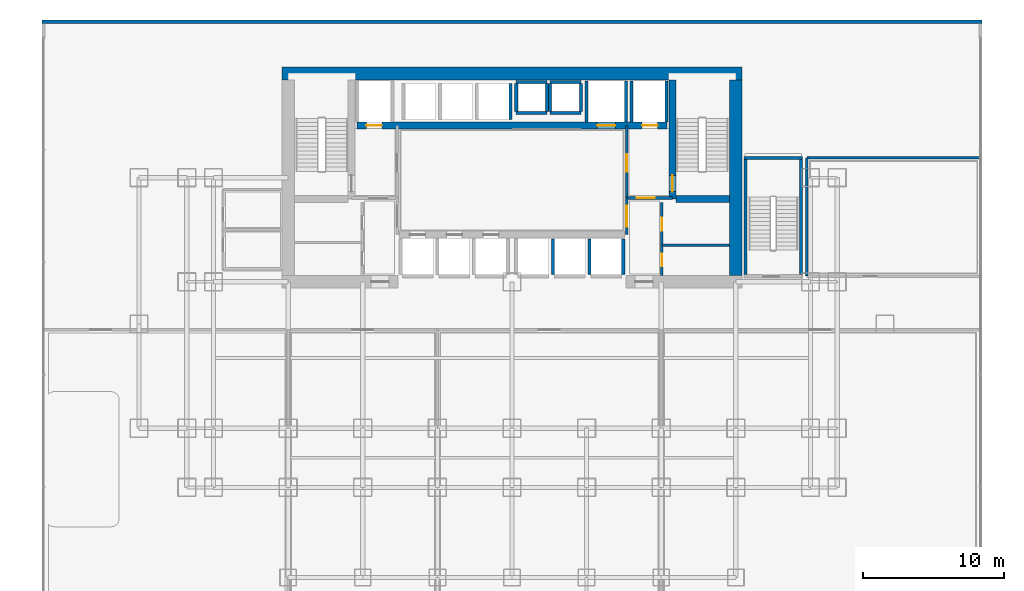
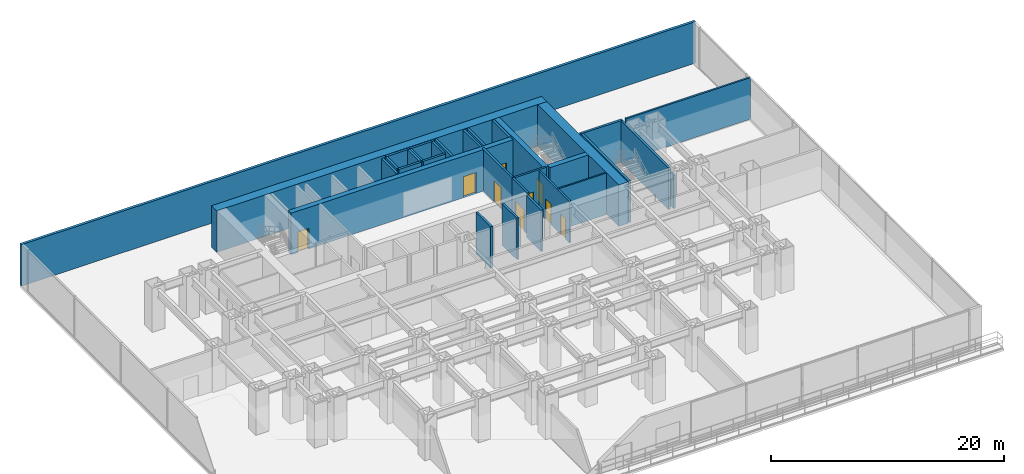
# One storey, part 10 of 13: 32 walls, 9 doors, 9 openings.
"""IFC4 building model written with IfcOpenShell, lengths in metres."""

from ifc_helpers import new_model, si_unit, direction, frame, frame_2d, origin, place, context, subcontext, project, spatial, rectangle, extrude, material, layer, layer_set, type_object, element, fill, save


model = new_model("IFC4")

# Units and contexts
model_context = context("Model", 3, precision=1e-05, world=origin(), true_north=direction((0.0, 1.0)))
body_context = subcontext(model_context, "Body", "Model", "MODEL_VIEW")
ifc_project = project(units=[si_unit("LENGTHUNIT", "METRE"), si_unit("AREAUNIT", "SQUARE_METRE"), si_unit("VOLUMEUNIT", "CUBIC_METRE"), si_unit("PLANEANGLEUNIT", "RADIAN"), si_unit("MASSUNIT", "GRAM", prefix="KILO")], contexts=[model_context])

# Site, building, storey
site_placement = place(None, origin())
site = spatial("IfcSite", under=ifc_project, at=site_placement, CompositionType="ELEMENT")
building_placement = place(site_placement, origin())
building = spatial("IfcBuilding", under=site, at=building_placement, Name="Qianlan Lanfeng Residences", CompositionType="ELEMENT")
storey_placement = place(building_placement, frame((0.0, 0.0, 9.800048828125)))
storey = spatial("IfcBuildingStorey", under=building, at=storey_placement, Name="L02", CompositionType="ELEMENT", Elevation=9.800048828125)

# Wall, opening, door
ifc_material_1 = material(Name="Concrete C70", Category="concrete")
ifc_layer_1 = layer(ifc_material_1, 0.5)
ifc_layer_set_1 = layer_set([ifc_layer_1], Name="Concrete C70")
wall_type_1 = type_object("IfcWallType", Name="CW-RC-500", PredefinedType="SHEAR", material=ifc_layer_set_1)
wall_1_placement = place(storey_placement, frame((37.89990234375, 31.10009765625, 0.0), z_axis=(0.0, 0.0, 1.0), x_axis=(0.0, 1.0, 0.0)))
wall_1 = element("IfcWall", 1, at=wall_1_placement, inside=storey, type_object=wall_type_1, Name="L02 Core Shear Wall ST2W", PredefinedType="SHEAR", context=body_context, shape_type="SweptSolid", body=[
    extrude(rectangle(XDim=8.449951171875, YDim=0.5, at=frame_2d((4.22509765625, 0.0))), origin(), (0.0, 0.0, 1.0), 4.349853515625),
])
opening_1_placement = place(wall_1_placement, frame((0.510009765625, 0.0, 0.0)))
opening_1 = element("IfcOpeningElement", 2, at=opening_1_placement, cuts=wall_1, Name="Opening L02-D08", PredefinedType="OPENING", context=body_context, shape_type="SweptSolid", body=[
    extrude(rectangle(XDim=1.14990234375, YDim=2.199951171875, at=frame_2d((0.574951171875, 1.10009765625))), frame((0.0, 0.260009765625, 0.0), z_axis=(0.0, -1.0, 0.0), x_axis=(1.0, 0.0, 0.0)), (0.0, 0.0, 1.0), 0.52001953125),
])
ifc_material_2 = material(Name="Painted Galvanised Steel Fire Door", Category="steel")
door_type_1 = type_object("IfcDoorType", Name="DT-ST1", OperationType="NOTDEFINED", PredefinedType="DOOR", material=ifc_material_2)
door_1_placement = place(opening_1_placement, origin())
door_1 = element("IfcDoor", 3, at=door_1_placement, inside=storey, type_object=door_type_1, Name="L02 Exit Stair ST-2 Door L02-D08 (DT-ST1)", OperationType="SINGLE_SWING_RIGHT", OverallHeight=2.199951171875, OverallWidth=1.14990234375, PredefinedType="DOOR", context=body_context, shape_type="SweptSolid", body=[
    extrude(rectangle(XDim=1.14990234375, YDim=2.199951171875, at=frame_2d((0.574951171875, 1.10009765625))), frame((0.0, 0.02490234375, 0.0), z_axis=(0.0, -1.0, 0.0), x_axis=(1.0, 0.0, 0.0)), (0.0, 0.0, 1.0), 0.050048828125),
])
fill(opening_1, door_1)

# Wall
wall_2_placement = place(storey_placement, frame((38.14990234375, 31.10009765625, 0.0), z_axis=(0.0, 0.0, 1.0), x_axis=(1.0, 0.0, 0.0)))
element("IfcWall", 4, at=wall_2_placement, inside=storey, type_object=wall_type_1, Name="L02 Core Shear Wall ST2S", PredefinedType="SHEAR", context=body_context, shape_type="SweptSolid", body=[
    extrude(rectangle(XDim=3.800048828125, YDim=0.5, at=frame_2d((1.89990234375, 0.0))), origin(), (0.0, 0.0, 1.0), 4.349853515625),
])

# Wall, openings, doors
wall_3_placement = place(storey_placement, frame((15.5, 36.300048828125, 0.0), z_axis=(0.0, 0.0, 1.0), x_axis=(1.0, 0.0, 0.0)))
wall_3 = element("IfcWall", 5, at=wall_3_placement, inside=storey, type_object=wall_type_1, Name="L02 Core Shear Wall LBN", PredefinedType="SHEAR", context=body_context, shape_type="SweptSolid", body=[
    extrude(rectangle(XDim=22.0, YDim=0.5, at=frame_2d((11.0, 0.0))), origin(), (0.0, 0.0, 1.0), 4.349853515625),
])
opening_2_placement = place(wall_3_placement, frame((0.64990234375, 0.0, 0.0)))
opening_2 = element("IfcOpeningElement", 6, at=opening_2_placement, cuts=wall_3, Name="Opening L02-LD-FFL-1", PredefinedType="OPENING", context=body_context, shape_type="SweptSolid", body=[
    extrude(rectangle(XDim=1.10009765625, YDim=2.14990234375, at=frame_2d((0.550048828125, 1.074951171875))), frame((0.0, 0.260009765625, 0.0), z_axis=(0.0, -1.0, 0.0), x_axis=(1.0, 0.0, 0.0)), (0.0, 0.0, 1.0), 0.52001953125),
])
opening_3_placement = place(wall_3_placement, frame((20.25, 0.0, 0.0)))
opening_3 = element("IfcOpeningElement", 7, at=opening_3_placement, cuts=wall_3, Name="Opening L02-LD-FFL-2", PredefinedType="OPENING", context=body_context, shape_type="SweptSolid", body=[
    extrude(rectangle(XDim=1.10009765625, YDim=2.14990234375, at=frame_2d((0.550048828125, 1.074951171875))), frame((0.0, 0.260009765625, 0.0), z_axis=(0.0, -1.0, 0.0), x_axis=(1.0, 0.0, 0.0)), (0.0, 0.0, 1.0), 0.52001953125),
])
opening_4_placement = place(wall_3_placement, frame((17.050048828125, 0.0, 0.0)))
opening_4 = element("IfcOpeningElement", 8, at=opening_4_placement, cuts=wall_3, Name="Opening L02-LD-SVL-1", PredefinedType="OPENING", context=body_context, shape_type="SweptSolid", body=[
    extrude(rectangle(XDim=1.300048828125, YDim=2.199951171875, at=frame_2d((0.64990234375, 1.10009765625))), frame((0.0, 0.260009765625, 0.0), z_axis=(0.0, -1.0, 0.0), x_axis=(1.0, 0.0, 0.0)), (0.0, 0.0, 1.0), 0.52001953125),
])
ifc_material_3 = material(Name="Brushed Stainless Steel Sliding Lift Door", Category="steel")
door_type_2 = type_object("IfcDoorType", Name="LD-01", OperationType="NOTDEFINED", PredefinedType="DOOR", material=ifc_material_3)
door_2_placement = place(opening_2_placement, frame((1.10009765625, 0.0, 0.0), z_axis=(0.0, 0.0, 1.0), x_axis=(-1.0, 0.0, 0.0)))
door_2 = element("IfcDoor", 9, at=door_2_placement, inside=storey, type_object=door_type_2, Name="L02 Elevator FFL-1 Sliding Landing Door", OperationType="DOUBLE_DOOR_SLIDING", OverallHeight=2.14990234375, OverallWidth=1.10009765625, PredefinedType="DOOR", context=body_context, shape_type="SweptSolid", body=[
    extrude(rectangle(XDim=1.10009765625, YDim=2.14990234375, at=frame_2d((0.550048828125, 1.074951171875))), frame((0.0, 0.02490234375, 0.0), z_axis=(0.0, -1.0, 0.0), x_axis=(1.0, 0.0, 0.0)), (0.0, 0.0, 1.0), 0.050048828125),
])
fill(opening_2, door_2)
door_3_placement = place(opening_3_placement, frame((1.10009765625, 0.0, 0.0), z_axis=(0.0, 0.0, 1.0), x_axis=(-1.0, 0.0, 0.0)))
door_3 = element("IfcDoor", 10, at=door_3_placement, inside=storey, type_object=door_type_2, Name="L02 Elevator FFL-2 Sliding Landing Door", OperationType="DOUBLE_DOOR_SLIDING", OverallHeight=2.14990234375, OverallWidth=1.10009765625, PredefinedType="DOOR", context=body_context, shape_type="SweptSolid", body=[
    extrude(rectangle(XDim=1.10009765625, YDim=2.14990234375, at=frame_2d((0.550048828125, 1.074951171875))), frame((0.0, 0.02490234375, 0.0), z_axis=(0.0, -1.0, 0.0), x_axis=(1.0, 0.0, 0.0)), (0.0, 0.0, 1.0), 0.050048828125),
])
fill(opening_3, door_3)
door_type_3 = type_object("IfcDoorType", Name="LD-02", OperationType="NOTDEFINED", PredefinedType="DOOR", material=ifc_material_3)
door_4_placement = place(opening_4_placement, frame((1.300048828125, 0.0, 0.0), z_axis=(0.0, 0.0, 1.0), x_axis=(-1.0, 0.0, 0.0)))
door_4 = element("IfcDoor", 11, at=door_4_placement, inside=storey, type_object=door_type_3, Name="L02 Elevator SVL-1 Sliding Landing Door", OperationType="DOUBLE_DOOR_SLIDING", OverallHeight=2.199951171875, OverallWidth=1.300048828125, PredefinedType="DOOR", context=body_context, shape_type="SweptSolid", body=[
    extrude(rectangle(XDim=1.300048828125, YDim=2.199951171875, at=frame_2d((0.64990234375, 1.10009765625))), frame((0.0, 0.02490234375, 0.0), z_axis=(0.0, -1.0, 0.0), x_axis=(1.0, 0.0, 0.0)), (0.0, 0.0, 1.0), 0.050048828125),
])
fill(opening_4, door_4)

# Walls
ifc_layer_2 = layer(ifc_material_1, 0.89990234375)
ifc_layer_set_2 = layer_set([ifc_layer_2], Name="Concrete C70")
wall_type_2 = type_object("IfcWallType", Name="CW-RC-900", PredefinedType="SHEAR", material=ifc_layer_set_2)
wall_4_placement = place(storey_placement, frame((10.14990234375, 40.0, 0.0), z_axis=(0.0, 0.0, 1.0), x_axis=(1.0, 0.0, 0.0)))
element("IfcWall", 12, at=wall_4_placement, inside=storey, type_object=wall_type_2, Name="L02 Core Shear Wall N", PredefinedType="SHEAR", context=body_context, shape_type="SweptSolid", body=[
    extrude(rectangle(XDim=32.7001953125, YDim=0.89990234375, at=frame_2d((16.35009765625, 0.0))), origin(), (0.0, 0.0, 1.0), 4.349853515625),
])
wall_5_placement = place(storey_placement, frame((42.39990234375, 25.64990234375, 0.0), z_axis=(0.0, 0.0, 1.0), x_axis=(0.0, 1.0, 0.0)))
element("IfcWall", 13, at=wall_5_placement, inside=storey, type_object=wall_type_2, Name="L02 Core Shear Wall E", PredefinedType="SHEAR", context=body_context, shape_type="SweptSolid", body=[
    extrude(rectangle(XDim=13.900146484375, YDim=0.89990234375, at=frame_2d((6.9501953125, 0.0))), origin(), (0.0, 0.0, 1.0), 4.349853515625),
])
ifc_material_4 = material(Name="Concrete C42", Category="concrete")
ifc_layer_3 = layer(ifc_material_4, 0.260009765625)
ifc_layer_set_3 = layer_set([ifc_layer_3], Name="Concrete C42")
wall_type_3 = type_object("IfcWallType", Name="EW-260", PredefinedType="SOLIDWALL", material=ifc_layer_set_3)
wall_6_placement = place(storey_placement, frame((59.89990234375, 43.669921875, 0.0), z_axis=(0.0, 0.0, 1.0), x_axis=(-1.0, 0.0, 0.0)))
element("IfcWall", 14, at=wall_6_placement, inside=storey, type_object=wall_type_3, Name="L02 North Exterior Wall", PredefinedType="SOLIDWALL", context=body_context, shape_type="SweptSolid", body=[
    extrude(rectangle(XDim=66.7998046875, YDim=0.260009765625, at=frame_2d((33.39990234375, 0.0))), origin(), (0.0, 0.0, 1.0), 4.349853515625),
])
ifc_material_5 = material(Name="Acoustic Drywall Partition 150 mm")
ifc_layer_4 = layer(ifc_material_5, 0.14990234375)
ifc_layer_set_4 = layer_set([ifc_layer_4], Name="Acoustic Drywall Partition 150 mm")
wall_type_4 = type_object("IfcWallType", Name="PW-150", PredefinedType="PARTITIONING", material=ifc_layer_set_4)
wall_7_placement = place(storey_placement, frame((37.14990234375, 27.800048828125, 0.0), z_axis=(0.0, 0.0, 1.0), x_axis=(1.0, 0.0, 0.0)))
element("IfcWall", 15, at=wall_7_placement, inside=storey, type_object=wall_type_4, Name="L02 Core East Split", PredefinedType="PARTITIONING", context=body_context, shape_type="SweptSolid", body=[
    extrude(rectangle(XDim=4.800048828125, YDim=0.14990234375, at=frame_2d((2.39990234375, 0.0))), origin(), (0.0, 0.0, 1.0), 4.349853515625),
])

# Wall, openings, doors
ifc_material_6 = material(Name="Double-Layer Acoustic Gypsum Stud Wall 180 mm")
ifc_layer_5 = layer(ifc_material_6, 0.179931640625)
ifc_layer_set_5 = layer_set([ifc_layer_5], Name="Double-Layer Acoustic Gypsum Stud Wall 180 mm")
wall_type_5 = type_object("IfcWallType", Name="PW-180", PredefinedType="PARTITIONING", material=ifc_layer_set_5)
wall_8_placement = place(storey_placement, frame((37.14990234375, 25.64990234375, 0.0), z_axis=(0.0, 0.0, 1.0), x_axis=(0.0, 1.0, 0.0)))
wall_8 = element("IfcWall", 16, at=wall_8_placement, inside=storey, type_object=wall_type_5, Name="L02 Core East Service Room Wall", PredefinedType="PARTITIONING", context=body_context, shape_type="SweptSolid", body=[
    extrude(rectangle(XDim=5.2001953125, YDim=0.179931640625, at=frame_2d((2.60009765625, 0.0))), origin(), (0.0, 0.0, 1.0), 4.349853515625),
])
opening_5_placement = place(wall_8_placement, frame((0.64990234375, 0.0, 0.0)))
opening_5 = element("IfcOpeningElement", 17, at=opening_5_placement, cuts=wall_8, Name="Opening L02-D11", PredefinedType="OPENING", context=body_context, shape_type="SweptSolid", body=[
    extrude(rectangle(XDim=0.89990234375, YDim=2.14990234375, at=frame_2d((0.449951171875, 1.074951171875))), frame((0.0, 0.10009765625, 0.0), z_axis=(0.0, -1.0, 0.0), x_axis=(1.0, 0.0, 0.0)), (0.0, 0.0, 1.0), 0.199951171875),
])
opening_6_placement = place(wall_8_placement, frame((3.18994140625, 0.0, 0.0)))
opening_6 = element("IfcOpeningElement", 18, at=opening_6_placement, cuts=wall_8, Name="Opening L02-D12", PredefinedType="OPENING", context=body_context, shape_type="SweptSolid", body=[
    extrude(rectangle(XDim=0.919921875, YDim=2.14990234375, at=frame_2d((0.4599609375, 1.074951171875))), frame((0.0, 0.10009765625, 0.0), z_axis=(0.0, -1.0, 0.0), x_axis=(1.0, 0.0, 0.0)), (0.0, 0.0, 1.0), 0.199951171875),
])
ifc_material_7 = material(Name="Glazed Timber Kitchen/Study Door", Category="wood")
door_type_4 = type_object("IfcDoorType", Name="DT-INT", OperationType="NOTDEFINED", PredefinedType="DOOR", material=ifc_material_7)
door_5_placement = place(opening_6_placement, origin())
door_5 = element("IfcDoor", 19, at=door_5_placement, inside=storey, type_object=door_type_4, Name="L02 Refuse Room Door L02-D12 (DT-INT)", OperationType="SINGLE_SWING_RIGHT", OverallHeight=2.14990234375, OverallWidth=0.919921875, PredefinedType="DOOR", context=body_context, shape_type="SweptSolid", body=[
    extrude(rectangle(XDim=0.919921875, YDim=2.14990234375, at=frame_2d((0.4599609375, 1.074951171875))), frame((0.0, 0.02490234375, 0.0), z_axis=(0.0, -1.0, 0.0), x_axis=(1.0, 0.0, 0.0)), (0.0, 0.0, 1.0), 0.050048828125),
])
fill(opening_6, door_5)
ifc_material_8 = material(Name="Moisture-Resistant Timber Leaf", Category="wood")
door_type_5 = type_object("IfcDoorType", Name="DT-WC", OperationType="NOTDEFINED", PredefinedType="DOOR", material=ifc_material_8)
door_6_placement = place(opening_5_placement, origin())
door_6 = element("IfcDoor", 20, at=door_6_placement, inside=storey, type_object=door_type_5, Name="L02 Core WC Door L02-D11 (DT-WC)", OperationType="SINGLE_SWING_LEFT", OverallHeight=2.14990234375, OverallWidth=0.89990234375, PredefinedType="DOOR", context=body_context, shape_type="SweptSolid", body=[
    extrude(rectangle(XDim=0.89990234375, YDim=2.14990234375, at=frame_2d((0.449951171875, 1.074951171875))), frame((0.0, 0.02490234375, 0.0), z_axis=(0.0, -1.0, 0.0), x_axis=(1.0, 0.0, 0.0)), (0.0, 0.0, 1.0), 0.050048828125),
])
fill(opening_5, door_6)

# Walls
wall_9_placement = place(storey_placement, frame((47.449951171875, 25.60009765625, 0.0), z_axis=(0.0, 0.0, 1.0), x_axis=(0.0, 1.0, 0.0)))
element("IfcWall", 21, at=wall_9_placement, inside=storey, type_object=wall_type_5, Name="L02 East Salon West Wall", PredefinedType="PARTITIONING", context=body_context, shape_type="SweptSolid", body=[
    extrude(rectangle(XDim=8.39990234375, YDim=0.179931640625, at=frame_2d((4.199951171875, 0.0))), origin(), (0.0, 0.0, 1.0), 3.494873046875),
])
wall_10_placement = place(storey_placement, frame((47.449951171875, 34.0, 0.0), z_axis=(0.0, 0.0, 1.0), x_axis=(1.0, 0.0, 0.0)))
element("IfcWall", 22, at=wall_10_placement, inside=storey, type_object=wall_type_5, Name="L02 East Salon North Wall", PredefinedType="PARTITIONING", context=body_context, shape_type="SweptSolid", body=[
    extrude(rectangle(XDim=12.330078125, YDim=0.179931640625, at=frame_2d((6.1650390625, 0.0))), origin(), (0.0, 0.0, 1.0), 4.349853515625),
])

# Wall, opening, door
ifc_material_9 = material(Name="Autoclaved Aerated Concrete Blockwork 200 mm", Category="masonry")
ifc_layer_6 = layer(ifc_material_9, 0.199951171875)
ifc_layer_set_6 = layer_set([ifc_layer_6], Name="Autoclaved Aerated Concrete Blockwork 200 mm")
wall_type_6 = type_object("IfcWallType", Name="PW-200", PredefinedType="PARTITIONING", material=ifc_layer_set_6)
wall_11_placement = place(storey_placement, frame((34.64990234375, 31.14990234375, 0.0), z_axis=(0.0, 0.0, 1.0), x_axis=(1.0, 0.0, 0.0)))
wall_11 = element("IfcWall", 23, at=wall_11_placement, inside=storey, type_object=wall_type_6, Name="L02 Firefighting Lobby 2 South Wall", PredefinedType="PARTITIONING", context=body_context, shape_type="SweptSolid", body=[
    extrude(rectangle(XDim=3.25, YDim=0.199951171875, at=frame_2d((1.625, 0.0))), origin(), (0.0, 0.0, 1.0), 4.349853515625),
])
opening_7_placement = place(wall_11_placement, frame((0.72509765625, 0.0, 0.0)))
opening_7 = element("IfcOpeningElement", 24, at=opening_7_placement, cuts=wall_11, Name="Opening L02-D05", PredefinedType="OPENING", context=body_context, shape_type="SweptSolid", body=[
    extrude(rectangle(XDim=1.25, YDim=2.199951171875, at=frame_2d((0.625, 1.10009765625))), frame((0.0, 0.10986328125, 0.0), z_axis=(0.0, -1.0, 0.0), x_axis=(1.0, 0.0, 0.0)), (0.0, 0.0, 1.0), 0.219970703125),
])
door_type_6 = type_object("IfcDoorType", Name="DT-FFL", OperationType="NOTDEFINED", PredefinedType="DOOR", material=ifc_material_2)
door_7_placement = place(opening_7_placement, origin())
door_7 = element("IfcDoor", 25, at=door_7_placement, inside=storey, type_object=door_type_6, Name="L02 Firefighting Lobby 2 Entry Door L02-D05 (DT-FFL)", OperationType="SINGLE_SWING_RIGHT", OverallHeight=2.199951171875, OverallWidth=1.25, PredefinedType="DOOR", context=body_context, shape_type="SweptSolid", body=[
    extrude(rectangle(XDim=1.25, YDim=2.199951171875, at=frame_2d((0.625, 1.10009765625))), frame((0.0, 0.02490234375, 0.0), z_axis=(0.0, -1.0, 0.0), x_axis=(1.0, 0.0, 0.0)), (0.0, 0.0, 1.0), 0.050048828125),
])
fill(opening_7, door_7)

wall_12_placement = place(storey_placement, frame((34.64990234375, 31.14990234375, 0.0), z_axis=(0.0, 0.0, 1.0), x_axis=(0.0, 1.0, 0.0)))
wall_12 = element("IfcWall", 26, at=wall_12_placement, inside=storey, type_object=wall_type_6, Name="L02 Firefighting Lobby 2 West Wall", PredefinedType="PARTITIONING", context=body_context, shape_type="SweptSolid", body=[
    extrude(rectangle(XDim=5.150146484375, YDim=0.199951171875, at=frame_2d((2.5751953125, 0.0))), origin(), (0.0, 0.0, 1.0), 4.349853515625),
])
opening_8_placement = place(wall_12_placement, frame((1.875, 0.0, 0.0)))
opening_8 = element("IfcOpeningElement", 27, at=opening_8_placement, cuts=wall_12, Name="Opening L02-D06", PredefinedType="OPENING", context=body_context, shape_type="SweptSolid", body=[
    extrude(rectangle(XDim=1.25, YDim=2.199951171875, at=frame_2d((0.625, 1.10009765625))), frame((0.0, 0.10986328125, 0.0), z_axis=(0.0, -1.0, 0.0), x_axis=(1.0, 0.0, 0.0)), (0.0, 0.0, 1.0), 0.219970703125),
])
door_8_placement = place(opening_8_placement, origin())
door_8 = element("IfcDoor", 28, at=door_8_placement, inside=storey, type_object=door_type_6, Name="L02 Firefighting Lobby 2 Lift Lobby Door L02-D06 (DT-FFL)", OperationType="SINGLE_SWING_RIGHT", OverallHeight=2.199951171875, OverallWidth=1.25, PredefinedType="DOOR", context=body_context, shape_type="SweptSolid", body=[
    extrude(rectangle(XDim=1.25, YDim=2.199951171875, at=frame_2d((0.625, 1.10009765625))), frame((0.0, 0.02490234375, 0.0), z_axis=(0.0, -1.0, 0.0), x_axis=(1.0, 0.0, 0.0)), (0.0, 0.0, 1.0), 0.050048828125),
])
fill(opening_8, door_8)

wall_13_placement = place(storey_placement, frame((34.64990234375, 28.550048828125, 0.0), z_axis=(0.0, 0.0, 1.0), x_axis=(0.0, 1.0, 0.0)))
wall_13 = element("IfcWall", 29, at=wall_13_placement, inside=storey, type_object=wall_type_6, Name="L02 Lift Lobby East Connector Wall", PredefinedType="PARTITIONING", context=body_context, shape_type="SweptSolid", body=[
    extrude(rectangle(XDim=2.599853515625, YDim=0.199951171875, at=frame_2d((1.2998046875, 0.0))), origin(), (0.0, 0.0, 1.0), 4.349853515625),
])
opening_9_placement = place(wall_13_placement, frame((0.550048828125, 0.0, 0.0)))
opening_9 = element("IfcOpeningElement", 30, at=opening_9_placement, cuts=wall_13, Name="Opening L02-D15", PredefinedType="OPENING", context=body_context, shape_type="SweptSolid", body=[
    extrude(rectangle(XDim=1.5, YDim=2.25, at=frame_2d((0.75, 1.125))), frame((0.0, 0.10986328125, 0.0), z_axis=(0.0, -1.0, 0.0), x_axis=(1.0, 0.0, 0.0)), (0.0, 0.0, 1.0), 0.219970703125),
])
ifc_material_10 = material(Name="Timber Veneer Acoustic Fire Door", Category="wood")
door_type_7 = type_object("IfcDoorType", Name="DT-COR1", OperationType="NOTDEFINED", PredefinedType="DOOR", material=ifc_material_10)
door_9_placement = place(opening_9_placement, frame((1.5, 0.0, 0.0), z_axis=(0.0, 0.0, 1.0), x_axis=(-1.0, 0.0, 0.0)))
door_9 = element("IfcDoor", 31, at=door_9_placement, inside=storey, type_object=door_type_7, Name="L02 Lift Lobby East Portal Door L02-D15 (DT-COR1)", OperationType="DOUBLE_DOOR_SINGLE_SWING", OverallHeight=2.25, OverallWidth=1.5, PredefinedType="DOOR", context=body_context, shape_type="SweptSolid", body=[
    extrude(rectangle(XDim=1.5, YDim=2.25, at=frame_2d((0.75, 1.125))), frame((0.0, 0.02490234375, 0.0), z_axis=(0.0, -1.0, 0.0), x_axis=(1.0, 0.0, 0.0)), (0.0, 0.0, 1.0), 0.050048828125),
])
fill(opening_9, door_9)

# Walls
ifc_material_11 = material(Name="Concrete C49", Category="concrete")
ifc_layer_7 = layer(ifc_material_11, 0.219970703125)
ifc_layer_set_7 = layer_set([ifc_layer_7], Name="Concrete C49")
wall_type_7 = type_object("IfcWallType", Name="SHW-220", PredefinedType="SOLIDWALL", material=ifc_layer_set_7)
for number, where, z_axis, x_axis, name in (
    (32, (35.0, 36.550048828125, 0.0), (0.0, 0.0, 1.0), (0.0, 1.0, 0.0), "L02 Lift FFL-2 Shaft Wall W"),
    (33, (37.47998046875, 36.550048828125, 0.0), (0.0, 0.0, 1.0), (0.0, 1.0, 0.0), "L02 Lift FFL-2 Shaft Wall E"),
    (34, (31.800048828125, 36.550048828125, 0.0), (0.0, 0.0, 1.0), (0.0, 1.0, 0.0), "L02 Lift SVL-1 Shaft Wall W"),
    (35, (34.60009765625, 36.550048828125, 0.0), (0.0, 0.0, 1.0), (0.0, 1.0, 0.0), "L02 Lift SVL-1 Shaft Wall E"),
):
    element("IfcWall", number, at=place(storey_placement, frame(where, z_axis=z_axis, x_axis=x_axis)), inside=storey, type_object=wall_type_7, Name=name, PredefinedType="SOLIDWALL", context=body_context, shape_type="SweptSolid", body=[
        extrude(rectangle(XDim=2.929931640625, YDim=0.219970703125, at=frame_2d((1.46484375, 0.0))), origin(), (0.0, 0.0, 1.0), 4.349853515625),
    ])
for number, where, z_axis, x_axis, name in (
    (36, (29.39990234375, 25.719970703125, 0.0), (0.0, 0.0, 1.0), (0.0, 1.0, 0.0), "L02 Lift PL-M2 Shaft Wall W"),
    (37, (32.0, 25.719970703125, 0.0), (0.0, 0.0, 1.0), (0.0, 1.0, 0.0), "L02 Lift PL-M3 Shaft Wall W"),
    (38, (34.39990234375, 25.719970703125, 0.0), (0.0, 0.0, 1.0), (0.0, 1.0, 0.0), "L02 Lift PL-M3 Shaft Wall E"),
):
    element("IfcWall", number, at=place(storey_placement, frame(where, z_axis=z_axis, x_axis=x_axis)), inside=storey, type_object=wall_type_7, Name=name, PredefinedType="SOLIDWALL", context=body_context, shape_type="SweptSolid", body=[
        extrude(rectangle(XDim=2.530029296875, YDim=0.219970703125, at=frame_2d((1.26513671875, 0.0))), origin(), (0.0, 0.0, 1.0), 4.349853515625),
    ])
wall_14_placement = place(storey_placement, frame((26.39990234375, 36.719970703125, 0.0), z_axis=(0.0, 0.0, 1.0), x_axis=(0.0, 1.0, 0.0)))
element("IfcWall", 39, at=wall_14_placement, inside=storey, type_object=wall_type_7, Name="L02 Lift PL-H3 Shaft Wall E", PredefinedType="SOLIDWALL", context=body_context, shape_type="SweptSolid", body=[
    extrude(rectangle(XDim=2.56005859375, YDim=0.219970703125, at=frame_2d((1.280029296875, 0.0))), origin(), (0.0, 0.0, 1.0), 4.349853515625),
])
for number, where, z_axis, x_axis, name in (
    (40, (26.800048828125, 37.31005859375, 0.0), (0.0, 0.0, 1.0), (0.0, 1.0, 0.0), "L02 MEP Riser MEP-R1 Shaft Wall W"),
    (41, (29.0, 37.31005859375, 0.0), (0.0, 0.0, 1.0), (0.0, 1.0, 0.0), "L02 MEP Riser MEP-R1 Shaft Wall E"),
):
    element("IfcWall", number, at=place(storey_placement, frame(where, z_axis=z_axis, x_axis=x_axis)), inside=storey, type_object=wall_type_7, Name=name, PredefinedType="SOLIDWALL", context=body_context, shape_type="SweptSolid", body=[
        extrude(rectangle(XDim=1.97998046875, YDim=0.219970703125, at=frame_2d((0.989990234375, 0.0))), origin(), (0.0, 0.0, 1.0), 4.349853515625),
    ])
for number, where, z_axis, x_axis, name in (
    (42, (26.800048828125, 39.39990234375, 0.0), (0.0, 0.0, 1.0), (1.0, 0.0, 0.0), "L02 MEP Riser MEP-R1 Shaft Wall N"),
    (43, (26.800048828125, 37.199951171875, 0.0), (0.0, 0.0, 1.0), (1.0, 0.0, 0.0), "L02 MEP Riser MEP-R1 Shaft Wall S"),
):
    element("IfcWall", number, at=place(storey_placement, frame(where, z_axis=z_axis, x_axis=x_axis)), inside=storey, type_object=wall_type_7, Name=name, PredefinedType="SOLIDWALL", context=body_context, shape_type="SweptSolid", body=[
        extrude(rectangle(XDim=2.199951171875, YDim=0.219970703125, at=frame_2d((1.10009765625, 0.0))), origin(), (0.0, 0.0, 1.0), 4.349853515625),
    ])
for number, where, z_axis, x_axis, name in (
    (44, (29.199951171875, 37.31005859375, 0.0), (0.0, 0.0, 1.0), (0.0, 1.0, 0.0), "L02 MEP Riser MEP-R2 Shaft Wall W"),
    (45, (31.39990234375, 37.31005859375, 0.0), (0.0, 0.0, 1.0), (0.0, 1.0, 0.0), "L02 MEP Riser MEP-R2 Shaft Wall E"),
):
    element("IfcWall", number, at=place(storey_placement, frame(where, z_axis=z_axis, x_axis=x_axis)), inside=storey, type_object=wall_type_7, Name=name, PredefinedType="SOLIDWALL", context=body_context, shape_type="SweptSolid", body=[
        extrude(rectangle(XDim=1.97998046875, YDim=0.219970703125, at=frame_2d((0.989990234375, 0.0))), origin(), (0.0, 0.0, 1.0), 4.349853515625),
    ])
for number, where, z_axis, x_axis, name in (
    (46, (29.199951171875, 39.39990234375, 0.0), (0.0, 0.0, 1.0), (1.0, 0.0, 0.0), "L02 MEP Riser MEP-R2 Shaft Wall N"),
    (47, (29.199951171875, 37.199951171875, 0.0), (0.0, 0.0, 1.0), (1.0, 0.0, 0.0), "L02 MEP Riser MEP-R2 Shaft Wall S"),
):
    element("IfcWall", number, at=place(storey_placement, frame(where, z_axis=z_axis, x_axis=x_axis)), inside=storey, type_object=wall_type_7, Name=name, PredefinedType="SOLIDWALL", context=body_context, shape_type="SweptSolid", body=[
        extrude(rectangle(XDim=2.199951171875, YDim=0.219970703125, at=frame_2d((1.10009765625, 0.0))), origin(), (0.0, 0.0, 1.0), 4.349853515625),
    ])
ifc_layer_8 = layer(ifc_material_11, 0.219970703125)
ifc_layer_set_8 = layer_set([ifc_layer_8], Name="Concrete C49")
wall_type_8 = type_object("IfcWallType", Name="STW-RC-220", PredefinedType="SHEAR", material=ifc_layer_set_8)
wall_15_placement = place(storey_placement, frame((42.969970703125, 34.0, 0.0), z_axis=(0.0, 0.0, 1.0), x_axis=(1.0, 0.0, 0.0)))
element("IfcWall", 48, at=wall_15_placement, inside=storey, type_object=wall_type_8, Name="L02 Stair ST-P1 Enclosure Wall N", PredefinedType="SHEAR", context=body_context, shape_type="SweptSolid", body=[
    extrude(rectangle(XDim=4.159912109375, YDim=0.219970703125, at=frame_2d((2.080078125, 0.0))), origin(), (0.0, 0.0, 1.0), 4.349853515625),
])
for number, where, z_axis, x_axis, name in (
    (49, (43.080078125, 25.7099609375, 0.0), (0.0, 0.0, 1.0), (0.0, 1.0, 0.0), "L02 Stair ST-P1 Enclosure Wall W"),
    (50, (47.02001953125, 25.7099609375, 0.0), (0.0, 0.0, 1.0), (0.0, 1.0, 0.0), "L02 Stair ST-P1 Enclosure Wall E"),
):
    element("IfcWall", number, at=place(storey_placement, frame(where, z_axis=z_axis, x_axis=x_axis)), inside=storey, type_object=wall_type_8, Name=name, PredefinedType="SHEAR", context=body_context, shape_type="SweptSolid", body=[
        extrude(rectangle(XDim=8.179931640625, YDim=0.219970703125, at=frame_2d((4.08984375, 0.0))), origin(), (0.0, 0.0, 1.0), 4.349853515625),
    ])

save(model, "model.ifc")
